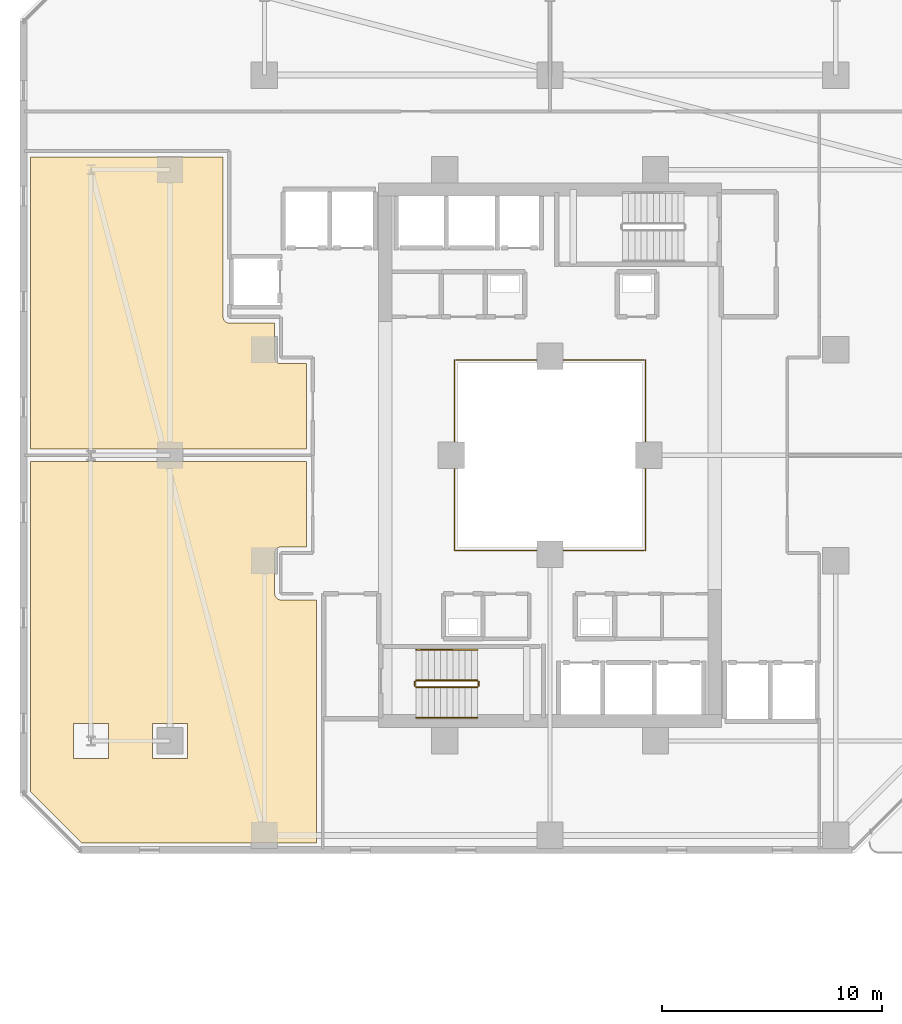
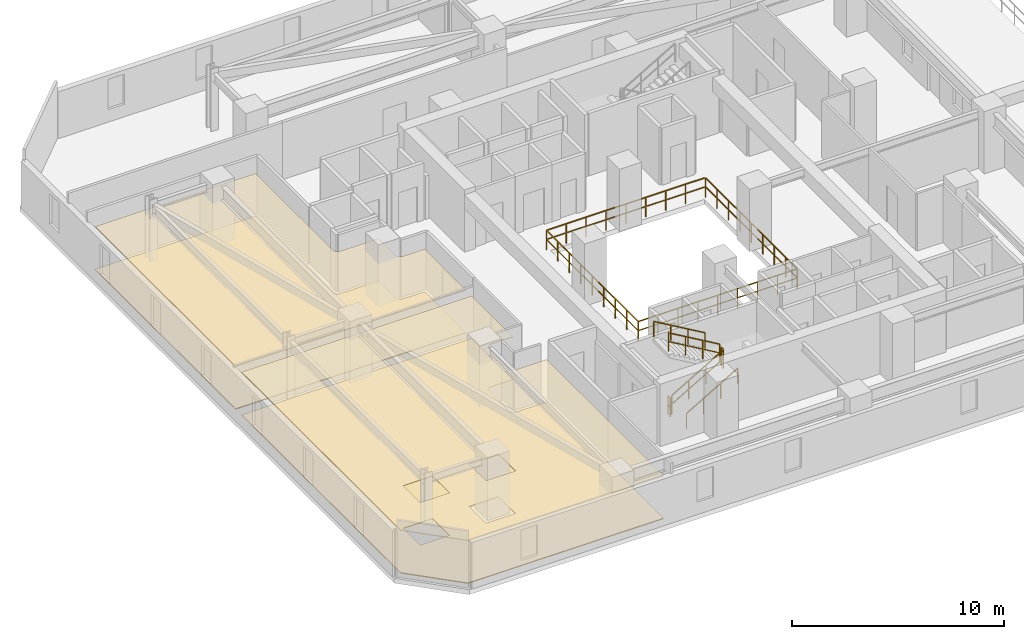
# One storey, part 29 of 33: 7 railings, 4 coverings.
"""IFC4 building model written with IfcOpenShell, lengths in metres."""

from ifc_helpers import new_model, si_unit, direction, frame, origin, origin_2d, place, context, subcontext, project, spatial, polyline, rectangle, outline, extrude, material, layer, layer_set, type_object, element, save


model = new_model("IFC4")

# Units and contexts
model_context = context("Model", 3, precision=1e-05, world=origin(), true_north=direction((0.0, 1.0)))
body_context = subcontext(model_context, "Body", "Model", "MODEL_VIEW")
ifc_project = project(units=[si_unit("LENGTHUNIT", "METRE"), si_unit("AREAUNIT", "SQUARE_METRE"), si_unit("VOLUMEUNIT", "CUBIC_METRE"), si_unit("PLANEANGLEUNIT", "RADIAN"), si_unit("MASSUNIT", "GRAM", prefix="KILO")], contexts=[model_context])

# Site, building, storey
site_placement = place(None, origin())
site = spatial("IfcSite", under=ifc_project, at=site_placement, CompositionType="ELEMENT")
building_placement = place(site_placement, origin())
building = spatial("IfcBuilding", under=site, at=building_placement, Name="Thornwick Lancets Civic Towers", CompositionType="ELEMENT")
storey_placement = place(building_placement, frame((0.0, 0.0, 98.10009765625)))
storey = spatial("IfcBuildingStorey", under=building, at=storey_placement, Name="L25", CompositionType="ELEMENT", Elevation=98.10009765625)

# Coverings
ifc_material_1 = material(Name="Perforated mineral acoustic ceiling tile")
ifc_layer_1 = layer(ifc_material_1, 0.0400390625, Name="Perforated mineral acoustic ceiling tile")
ifc_layer_set_1 = layer_set([ifc_layer_1], Name="Perforated mineral acoustic ceiling tile")
covering_type_1 = type_object("IfcCoveringType", Name="COV_CEIL_ACOUSTIC", PredefinedType="CEILING", material=ifc_layer_set_1)
covering_1_placement = place(storey_placement, frame((0.0, 0.0, 2.46484375)))
element("IfcCovering", 1, at=covering_1_placement, inside=storey, type_object=covering_type_1, Name="L25 Tower A Ministry Directorate Office W1 Ceiling", PredefinedType="CEILING", context=body_context, shape_type="SweptSolid", body=[
    extrude(outline(polyline([(1.860107421875, 11.690673828125), (1.860107421875, 26.719970703125), (14.419921875, 26.719970703125), (14.419921875, 22.830078125), (13.25, 22.830078125), (13.22265625, 22.82861328125), (13.1953125, 22.82470703125), (13.168701171875, 22.81787109375), (13.142822265625, 22.80859375), (13.117919921875, 22.796875), (13.094482421875, 22.78271484375), (13.072509765625, 22.766357421875), (13.052001953125, 22.748046875), (13.03369140625, 22.7275390625), (13.01708984375, 22.70556640625), (13.003173828125, 22.681884765625), (12.9912109375, 22.6572265625), (12.982177734375, 22.63134765625), (12.975341796875, 22.6044921875), (12.97119140625, 22.577392578125), (12.969970703125, 22.550048828125), (12.969970703125, 20.699951171875), (12.97119140625, 20.672607421875), (12.975341796875, 20.6455078125), (12.982177734375, 20.61865234375), (12.9912109375, 20.5927734375), (13.003173828125, 20.568115234375), (13.01708984375, 20.54443359375), (13.03369140625, 20.5224609375), (13.052001953125, 20.501953125), (13.072509765625, 20.483642578125), (13.094482421875, 20.46728515625), (13.117919921875, 20.453125), (13.142822265625, 20.44140625), (13.168701171875, 20.43212890625), (13.1953125, 20.42529296875), (13.22265625, 20.42138671875), (13.25, 20.419921875), (14.8701171875, 20.419921875), (14.8701171875, 9.360107421875), (4.190673828125, 9.360107421875), (1.860107421875, 11.690673828125)]), holes=[polyline([(7.39990234375, 13.199951171875), (9.0, 13.199951171875), (9.0, 14.800048828125), (7.39990234375, 14.800048828125), (7.39990234375, 13.199951171875)]), polyline([(3.800048828125, 13.199951171875), (5.39990234375, 13.199951171875), (5.39990234375, 14.800048828125), (3.800048828125, 14.800048828125), (3.800048828125, 13.199951171875)])]), origin(), (0.0, 0.0, 1.0), 0.0400390625),
])
covering_2_placement = place(storey_placement, frame((0.0, 0.0, 2.46484375)))
element("IfcCovering", 2, at=covering_2_placement, inside=storey, type_object=covering_type_1, Name="L25 Tower A Policy Briefing Room W2 Ceiling", PredefinedType="CEILING", context=body_context, shape_type="SweptSolid", body=[
    extrude(outline(polyline([(10.6201171875, 40.570068359375), (10.6201171875, 33.300048828125), (10.621337890625, 33.272705078125), (10.62548828125, 33.245361328125), (10.632080078125, 33.21875), (10.641357421875, 33.19287109375), (10.653076171875, 33.16796875), (10.667236328125, 33.144287109375), (10.68359375, 33.122314453125), (10.701904296875, 33.10205078125), (10.722412109375, 33.08349609375), (10.744384765625, 33.067138671875), (10.76806640625, 33.052978515625), (10.792724609375, 33.041259765625), (10.818603515625, 33.031982421875), (10.845458984375, 33.025390625), (10.87255859375, 33.021240234375), (10.89990234375, 33.02001953125), (12.969970703125, 33.02001953125), (12.969970703125, 31.449951171875), (12.97119140625, 31.422607421875), (12.975341796875, 31.3955078125), (12.982177734375, 31.36865234375), (12.9912109375, 31.3427734375), (13.003173828125, 31.318115234375), (13.01708984375, 31.29443359375), (13.03369140625, 31.2724609375), (13.052001953125, 31.251953125), (13.072509765625, 31.233642578125), (13.094482421875, 31.21728515625), (13.117919921875, 31.203125), (13.142822265625, 31.19140625), (13.168701171875, 31.18212890625), (13.1953125, 31.17529296875), (13.22265625, 31.17138671875), (13.25, 31.169921875), (14.419921875, 31.169921875), (14.419921875, 27.280029296875), (1.860107421875, 27.280029296875), (1.860107421875, 40.570068359375), (10.6201171875, 40.570068359375)])), origin(), (0.0, 0.0, 1.0), 0.0400390625),
])
ifc_material_2 = material(Name="Calcium-sulfate raised access floor panel")
ifc_layer_2 = layer(ifc_material_2, 0.050048828125, Name="Calcium-sulfate raised access floor panel")
ifc_layer_set_2 = layer_set([ifc_layer_2], Name="Calcium-sulfate raised access floor panel")
covering_type_2 = type_object("IfcCoveringType", Name="COV_FLOOR_RAISED", PredefinedType="FLOORING", material=ifc_layer_set_2)
covering_3_placement = place(storey_placement, origin())
element("IfcCovering", 3, at=covering_3_placement, inside=storey, type_object=covering_type_2, Name="L25 Tower A Ministry Directorate Office W1 Raised Access Flooring", PredefinedType="FLOORING", context=body_context, shape_type="SweptSolid", body=[
    extrude(outline(polyline([(1.860107421875, 11.690673828125), (1.860107421875, 26.719970703125), (14.419921875, 26.719970703125), (14.419921875, 22.830078125), (13.25, 22.830078125), (13.22265625, 22.82861328125), (13.1953125, 22.82470703125), (13.168701171875, 22.81787109375), (13.142822265625, 22.80859375), (13.117919921875, 22.796875), (13.094482421875, 22.78271484375), (13.072509765625, 22.766357421875), (13.052001953125, 22.748046875), (13.03369140625, 22.7275390625), (13.01708984375, 22.70556640625), (13.003173828125, 22.681884765625), (12.9912109375, 22.6572265625), (12.982177734375, 22.63134765625), (12.975341796875, 22.6044921875), (12.97119140625, 22.577392578125), (12.969970703125, 22.550048828125), (12.969970703125, 20.699951171875), (12.97119140625, 20.672607421875), (12.975341796875, 20.6455078125), (12.982177734375, 20.61865234375), (12.9912109375, 20.5927734375), (13.003173828125, 20.568115234375), (13.01708984375, 20.54443359375), (13.03369140625, 20.5224609375), (13.052001953125, 20.501953125), (13.072509765625, 20.483642578125), (13.094482421875, 20.46728515625), (13.117919921875, 20.453125), (13.142822265625, 20.44140625), (13.168701171875, 20.43212890625), (13.1953125, 20.42529296875), (13.22265625, 20.42138671875), (13.25, 20.419921875), (14.8701171875, 20.419921875), (14.8701171875, 9.360107421875), (4.190673828125, 9.360107421875), (1.860107421875, 11.690673828125)]), holes=[polyline([(7.39990234375, 13.199951171875), (9.0, 13.199951171875), (9.0, 14.800048828125), (7.39990234375, 14.800048828125), (7.39990234375, 13.199951171875)]), polyline([(3.800048828125, 13.199951171875), (5.39990234375, 13.199951171875), (5.39990234375, 14.800048828125), (3.800048828125, 14.800048828125), (3.800048828125, 13.199951171875)])]), origin(), (0.0, 0.0, 1.0), 0.0498046875),
])
covering_4_placement = place(storey_placement, origin())
element("IfcCovering", 4, at=covering_4_placement, inside=storey, type_object=covering_type_2, Name="L25 Tower A Policy Briefing Room W2 Raised Access Flooring", PredefinedType="FLOORING", context=body_context, shape_type="SweptSolid", body=[
    extrude(outline(polyline([(10.6201171875, 40.570068359375), (10.6201171875, 33.300048828125), (10.621337890625, 33.272705078125), (10.62548828125, 33.245361328125), (10.632080078125, 33.21875), (10.641357421875, 33.19287109375), (10.653076171875, 33.16796875), (10.667236328125, 33.144287109375), (10.68359375, 33.122314453125), (10.701904296875, 33.10205078125), (10.722412109375, 33.08349609375), (10.744384765625, 33.067138671875), (10.76806640625, 33.052978515625), (10.792724609375, 33.041259765625), (10.818603515625, 33.031982421875), (10.845458984375, 33.025390625), (10.87255859375, 33.021240234375), (10.89990234375, 33.02001953125), (12.969970703125, 33.02001953125), (12.969970703125, 31.449951171875), (12.97119140625, 31.422607421875), (12.975341796875, 31.3955078125), (12.982177734375, 31.36865234375), (12.9912109375, 31.3427734375), (13.003173828125, 31.318115234375), (13.01708984375, 31.29443359375), (13.03369140625, 31.2724609375), (13.052001953125, 31.251953125), (13.072509765625, 31.233642578125), (13.094482421875, 31.21728515625), (13.117919921875, 31.203125), (13.142822265625, 31.19140625), (13.168701171875, 31.18212890625), (13.1953125, 31.17529296875), (13.22265625, 31.17138671875), (13.25, 31.169921875), (14.419921875, 31.169921875), (14.419921875, 27.280029296875), (1.860107421875, 27.280029296875), (1.860107421875, 40.570068359375), (10.6201171875, 40.570068359375)])), origin(), (0.0, 0.0, 1.0), 0.0498046875),
])

# Railings
ifc_material_3 = material(Name="Laminated glass and bronze steel S355", Category="steel")
railing_type_1 = type_object("IfcRailingType", Name="RAIL_ATRIUM_GUARD", PredefinedType="BALUSTRADE", material=ifc_material_3)
railing_1_placement = place(storey_placement, frame((21.159912109375, 22.659912109375, 0.0)))
element("IfcRailing", 5, at=railing_1_placement, inside=storey, type_object=railing_type_1, Name="L25 Tower A Central Atrium Guard Balustrade", PredefinedType="BALUSTRADE", context=body_context, shape_type="SweptSolid", body=[
    extrude(rectangle(XDim=0.048095703125, YDim=0.048095703125, at=origin_2d()), frame((0.0, 0.0, 1.1259765625), z_axis=(1.0, 0.0, 0.0), x_axis=(0.0, 1.0, 0.0)), (0.0, 0.0, 1.0), 8.64892578125),
    extrude(rectangle(XDim=0.0419921875, YDim=0.0419921875, at=origin_2d()), frame((0.03759765625, 0.0, 0.597900390625), z_axis=(1.0, 0.0, 0.0), x_axis=(0.0, 1.0, 0.0)), (0.0, 0.0, 1.0), 1.010009765625),
    extrude(rectangle(XDim=0.0419921875, YDim=0.0419921875, at=origin_2d()), frame((1.12255859375, 0.0, 0.597900390625), z_axis=(1.0, 0.0, 0.0), x_axis=(0.0, 1.0, 0.0)), (0.0, 0.0, 1.0), 1.010009765625),
    extrude(rectangle(XDim=0.0419921875, YDim=0.0419921875, at=origin_2d()), frame((2.20751953125, 0.0, 0.597900390625), z_axis=(1.0, 0.0, 0.0), x_axis=(0.0, 1.0, 0.0)), (0.0, 0.0, 1.0), 1.010009765625),
    extrude(rectangle(XDim=0.0419921875, YDim=0.0419921875, at=origin_2d()), frame((3.29248046875, 0.0, 0.597900390625), z_axis=(1.0, 0.0, 0.0), x_axis=(0.0, 1.0, 0.0)), (0.0, 0.0, 1.0), 1.010009765625),
    extrude(rectangle(XDim=0.0419921875, YDim=0.0419921875, at=origin_2d()), frame((4.377685546875, 0.0, 0.597900390625), z_axis=(1.0, 0.0, 0.0), x_axis=(0.0, 1.0, 0.0)), (0.0, 0.0, 1.0), 1.010009765625),
    extrude(rectangle(XDim=0.0419921875, YDim=0.0419921875, at=origin_2d()), frame((5.462646484375, 0.0, 0.597900390625), z_axis=(1.0, 0.0, 0.0), x_axis=(0.0, 1.0, 0.0)), (0.0, 0.0, 1.0), 1.010009765625),
    extrude(rectangle(XDim=0.0419921875, YDim=0.0419921875, at=origin_2d()), frame((6.547607421875, 0.0, 0.597900390625), z_axis=(1.0, 0.0, 0.0), x_axis=(0.0, 1.0, 0.0)), (0.0, 0.0, 1.0), 1.010009765625),
    extrude(rectangle(XDim=0.0419921875, YDim=0.0419921875, at=origin_2d()), frame((7.632568359375, 0.0, 0.597900390625), z_axis=(1.0, 0.0, 0.0), x_axis=(0.0, 1.0, 0.0)), (0.0, 0.0, 1.0), 1.010009765625),
    extrude(rectangle(XDim=0.048095703125, YDim=0.048095703125, at=origin_2d()), frame((8.68017578125, 0.03125, 1.1259765625), z_axis=(0.0, 1.0, 0.0), x_axis=(-1.0, 0.0, 0.0)), (0.0, 0.0, 1.0), 8.61767578125),
    extrude(rectangle(XDim=0.0419921875, YDim=0.0419921875, at=origin_2d()), frame((8.68017578125, 0.03759765625, 0.597900390625), z_axis=(0.0, 1.0, 0.0), x_axis=(-1.0, 0.0, 0.0)), (0.0, 0.0, 1.0), 1.010009765625),
    extrude(rectangle(XDim=0.0419921875, YDim=0.0419921875, at=origin_2d()), frame((8.68017578125, 1.12255859375, 0.597900390625), z_axis=(0.0, 1.0, 0.0), x_axis=(-1.0, 0.0, 0.0)), (0.0, 0.0, 1.0), 1.010009765625),
    extrude(rectangle(XDim=0.0419921875, YDim=0.0419921875, at=origin_2d()), frame((8.68017578125, 2.20751953125, 0.597900390625), z_axis=(0.0, 1.0, 0.0), x_axis=(-1.0, 0.0, 0.0)), (0.0, 0.0, 1.0), 1.010009765625),
    extrude(rectangle(XDim=0.0419921875, YDim=0.0419921875, at=origin_2d()), frame((8.68017578125, 3.29248046875, 0.597900390625), z_axis=(0.0, 1.0, 0.0), x_axis=(-1.0, 0.0, 0.0)), (0.0, 0.0, 1.0), 1.010009765625),
    extrude(rectangle(XDim=0.0419921875, YDim=0.0419921875, at=origin_2d()), frame((8.68017578125, 4.377685546875, 0.597900390625), z_axis=(0.0, 1.0, 0.0), x_axis=(-1.0, 0.0, 0.0)), (0.0, 0.0, 1.0), 1.010009765625),
    extrude(rectangle(XDim=0.0419921875, YDim=0.0419921875, at=origin_2d()), frame((8.68017578125, 5.462646484375, 0.597900390625), z_axis=(0.0, 1.0, 0.0), x_axis=(-1.0, 0.0, 0.0)), (0.0, 0.0, 1.0), 1.010009765625),
    extrude(rectangle(XDim=0.0419921875, YDim=0.0419921875, at=origin_2d()), frame((8.68017578125, 6.547607421875, 0.597900390625), z_axis=(0.0, 1.0, 0.0), x_axis=(-1.0, 0.0, 0.0)), (0.0, 0.0, 1.0), 1.010009765625),
    extrude(rectangle(XDim=0.0419921875, YDim=0.0419921875, at=origin_2d()), frame((8.68017578125, 7.632568359375, 0.597900390625), z_axis=(0.0, 1.0, 0.0), x_axis=(-1.0, 0.0, 0.0)), (0.0, 0.0, 1.0), 1.010009765625),
    extrude(rectangle(XDim=0.048095703125, YDim=0.048095703125, at=origin_2d()), frame((8.64892578125, 8.68017578125, 1.1259765625), z_axis=(-1.0, 0.0, 0.0), x_axis=(0.0, -1.0, 0.0)), (0.0, 0.0, 1.0), 8.61767578125),
    extrude(rectangle(XDim=0.0419921875, YDim=0.0419921875, at=origin_2d()), frame((8.642578125, 8.68017578125, 0.597900390625), z_axis=(-1.0, 0.0, 0.0), x_axis=(0.0, -1.0, 0.0)), (0.0, 0.0, 1.0), 1.010009765625),
    extrude(rectangle(XDim=0.0419921875, YDim=0.0419921875, at=origin_2d()), frame((7.5576171875, 8.68017578125, 0.597900390625), z_axis=(-1.0, 0.0, 0.0), x_axis=(0.0, -1.0, 0.0)), (0.0, 0.0, 1.0), 1.010009765625),
    extrude(rectangle(XDim=0.0419921875, YDim=0.0419921875, at=origin_2d()), frame((6.47265625, 8.68017578125, 0.597900390625), z_axis=(-1.0, 0.0, 0.0), x_axis=(0.0, -1.0, 0.0)), (0.0, 0.0, 1.0), 1.010009765625),
    extrude(rectangle(XDim=0.0419921875, YDim=0.0419921875, at=origin_2d()), frame((5.3876953125, 8.68017578125, 0.597900390625), z_axis=(-1.0, 0.0, 0.0), x_axis=(0.0, -1.0, 0.0)), (0.0, 0.0, 1.0), 1.010009765625),
    extrude(rectangle(XDim=0.0419921875, YDim=0.0419921875, at=origin_2d()), frame((4.302490234375, 8.68017578125, 0.597900390625), z_axis=(-1.0, 0.0, 0.0), x_axis=(0.0, -1.0, 0.0)), (0.0, 0.0, 1.0), 1.010009765625),
    extrude(rectangle(XDim=0.0419921875, YDim=0.0419921875, at=origin_2d()), frame((3.217529296875, 8.68017578125, 0.597900390625), z_axis=(-1.0, 0.0, 0.0), x_axis=(0.0, -1.0, 0.0)), (0.0, 0.0, 1.0), 1.010009765625),
    extrude(rectangle(XDim=0.0419921875, YDim=0.0419921875, at=origin_2d()), frame((2.132568359375, 8.68017578125, 0.597900390625), z_axis=(-1.0, 0.0, 0.0), x_axis=(0.0, -1.0, 0.0)), (0.0, 0.0, 1.0), 1.010009765625),
    extrude(rectangle(XDim=0.0419921875, YDim=0.0419921875, at=origin_2d()), frame((1.047607421875, 8.68017578125, 0.597900390625), z_axis=(-1.0, 0.0, 0.0), x_axis=(0.0, -1.0, 0.0)), (0.0, 0.0, 1.0), 1.010009765625),
    extrude(rectangle(XDim=0.048095703125, YDim=0.048095703125, at=origin_2d()), frame((0.0, 8.64892578125, 1.1259765625), z_axis=(0.0, -1.0, 0.0), x_axis=(1.0, 0.0, 0.0)), (0.0, 0.0, 1.0), 8.64892578125),
    extrude(rectangle(XDim=0.0419921875, YDim=0.0419921875, at=origin_2d()), frame((0.0, 8.642578125, 0.597900390625), z_axis=(0.0, -1.0, 0.0), x_axis=(1.0, 0.0, 0.0)), (0.0, 0.0, 1.0), 1.010009765625),
    extrude(rectangle(XDim=0.0419921875, YDim=0.0419921875, at=origin_2d()), frame((0.0, 7.5576171875, 0.597900390625), z_axis=(0.0, -1.0, 0.0), x_axis=(1.0, 0.0, 0.0)), (0.0, 0.0, 1.0), 1.010009765625),
    extrude(rectangle(XDim=0.0419921875, YDim=0.0419921875, at=origin_2d()), frame((0.0, 6.47265625, 0.597900390625), z_axis=(0.0, -1.0, 0.0), x_axis=(1.0, 0.0, 0.0)), (0.0, 0.0, 1.0), 1.010009765625),
    extrude(rectangle(XDim=0.0419921875, YDim=0.0419921875, at=origin_2d()), frame((0.0, 5.3876953125, 0.597900390625), z_axis=(0.0, -1.0, 0.0), x_axis=(1.0, 0.0, 0.0)), (0.0, 0.0, 1.0), 1.010009765625),
    extrude(rectangle(XDim=0.0419921875, YDim=0.0419921875, at=origin_2d()), frame((0.0, 4.302490234375, 0.597900390625), z_axis=(0.0, -1.0, 0.0), x_axis=(1.0, 0.0, 0.0)), (0.0, 0.0, 1.0), 1.010009765625),
    extrude(rectangle(XDim=0.0419921875, YDim=0.0419921875, at=origin_2d()), frame((0.0, 3.217529296875, 0.597900390625), z_axis=(0.0, -1.0, 0.0), x_axis=(1.0, 0.0, 0.0)), (0.0, 0.0, 1.0), 1.010009765625),
    extrude(rectangle(XDim=0.0419921875, YDim=0.0419921875, at=origin_2d()), frame((0.0, 2.132568359375, 0.597900390625), z_axis=(0.0, -1.0, 0.0), x_axis=(1.0, 0.0, 0.0)), (0.0, 0.0, 1.0), 1.010009765625),
    extrude(rectangle(XDim=0.0419921875, YDim=0.0419921875, at=origin_2d()), frame((0.0, 1.047607421875, 0.597900390625), z_axis=(0.0, -1.0, 0.0), x_axis=(1.0, 0.0, 0.0)), (0.0, 0.0, 1.0), 1.010009765625),
    extrude(rectangle(XDim=0.0419921875, YDim=0.0419921875, at=origin_2d()), origin(), (0.0, 0.0, 1.0), 1.095703125),
    extrude(rectangle(XDim=0.0419921875, YDim=0.0419921875, at=origin_2d()), frame((1.0849609375, 0.0, 0.0)), (0.0, 0.0, 1.0), 1.095703125),
    extrude(rectangle(XDim=0.0419921875, YDim=0.0419921875, at=origin_2d()), frame((2.169921875, 0.0, 0.0)), (0.0, 0.0, 1.0), 1.095703125),
    extrude(rectangle(XDim=0.0419921875, YDim=0.0419921875, at=origin_2d()), frame((3.255126953125, 0.0, 0.0)), (0.0, 0.0, 1.0), 1.095703125),
    extrude(rectangle(XDim=0.0419921875, YDim=0.0419921875, at=origin_2d()), frame((4.340087890625, 0.0, 0.0)), (0.0, 0.0, 1.0), 1.095703125),
    extrude(rectangle(XDim=0.0419921875, YDim=0.0419921875, at=origin_2d()), frame((5.425048828125, 0.0, 0.0)), (0.0, 0.0, 1.0), 1.095703125),
    extrude(rectangle(XDim=0.0419921875, YDim=0.0419921875, at=origin_2d()), frame((6.51025390625, 0.0, 0.0)), (0.0, 0.0, 1.0), 1.095703125),
    extrude(rectangle(XDim=0.0419921875, YDim=0.0419921875, at=origin_2d()), frame((7.59521484375, 0.0, 0.0)), (0.0, 0.0, 1.0), 1.095703125),
    extrude(rectangle(XDim=0.0419921875, YDim=0.0419921875, at=origin_2d()), frame((8.68017578125, 0.0, 0.0)), (0.0, 0.0, 1.0), 1.095703125),
    extrude(rectangle(XDim=0.0419921875, YDim=0.0419921875, at=origin_2d()), frame((8.68017578125, 1.0849609375, 0.0)), (0.0, 0.0, 1.0), 1.095703125),
    extrude(rectangle(XDim=0.0419921875, YDim=0.0419921875, at=origin_2d()), frame((8.68017578125, 2.169921875, 0.0)), (0.0, 0.0, 1.0), 1.095703125),
    extrude(rectangle(XDim=0.0419921875, YDim=0.0419921875, at=origin_2d()), frame((8.68017578125, 3.255126953125, 0.0)), (0.0, 0.0, 1.0), 1.095703125),
    extrude(rectangle(XDim=0.0419921875, YDim=0.0419921875, at=origin_2d()), frame((8.68017578125, 4.340087890625, 0.0)), (0.0, 0.0, 1.0), 1.095703125),
    extrude(rectangle(XDim=0.0419921875, YDim=0.0419921875, at=origin_2d()), frame((8.68017578125, 5.425048828125, 0.0)), (0.0, 0.0, 1.0), 1.095703125),
    extrude(rectangle(XDim=0.0419921875, YDim=0.0419921875, at=origin_2d()), frame((8.68017578125, 6.51025390625, 0.0)), (0.0, 0.0, 1.0), 1.095703125),
    extrude(rectangle(XDim=0.0419921875, YDim=0.0419921875, at=origin_2d()), frame((8.68017578125, 7.59521484375, 0.0)), (0.0, 0.0, 1.0), 1.095703125),
    extrude(rectangle(XDim=0.0419921875, YDim=0.0419921875, at=origin_2d()), frame((8.68017578125, 8.68017578125, 0.0)), (0.0, 0.0, 1.0), 1.095703125),
    extrude(rectangle(XDim=0.0419921875, YDim=0.0419921875, at=origin_2d()), frame((7.59521484375, 8.68017578125, 0.0)), (0.0, 0.0, 1.0), 1.095703125),
    extrude(rectangle(XDim=0.0419921875, YDim=0.0419921875, at=origin_2d()), frame((6.51025390625, 8.68017578125, 0.0)), (0.0, 0.0, 1.0), 1.095703125),
    extrude(rectangle(XDim=0.0419921875, YDim=0.0419921875, at=origin_2d()), frame((5.425048828125, 8.68017578125, 0.0)), (0.0, 0.0, 1.0), 1.095703125),
    extrude(rectangle(XDim=0.0419921875, YDim=0.0419921875, at=origin_2d()), frame((4.340087890625, 8.68017578125, 0.0)), (0.0, 0.0, 1.0), 1.095703125),
    extrude(rectangle(XDim=0.0419921875, YDim=0.0419921875, at=origin_2d()), frame((3.255126953125, 8.68017578125, 0.0)), (0.0, 0.0, 1.0), 1.095703125),
    extrude(rectangle(XDim=0.0419921875, YDim=0.0419921875, at=origin_2d()), frame((2.169921875, 8.68017578125, 0.0)), (0.0, 0.0, 1.0), 1.095703125),
    extrude(rectangle(XDim=0.0419921875, YDim=0.0419921875, at=origin_2d()), frame((1.0849609375, 8.68017578125, 0.0)), (0.0, 0.0, 1.0), 1.095703125),
    extrude(rectangle(XDim=0.0419921875, YDim=0.0419921875, at=origin_2d()), frame((0.0, 8.68017578125, 0.0)), (0.0, 0.0, 1.0), 1.095703125),
    extrude(rectangle(XDim=0.0419921875, YDim=0.0419921875, at=origin_2d()), frame((0.0, 7.59521484375, 0.0)), (0.0, 0.0, 1.0), 1.095703125),
    extrude(rectangle(XDim=0.0419921875, YDim=0.0419921875, at=origin_2d()), frame((0.0, 6.51025390625, 0.0)), (0.0, 0.0, 1.0), 1.095703125),
    extrude(rectangle(XDim=0.0419921875, YDim=0.0419921875, at=origin_2d()), frame((0.0, 5.425048828125, 0.0)), (0.0, 0.0, 1.0), 1.095703125),
    extrude(rectangle(XDim=0.0419921875, YDim=0.0419921875, at=origin_2d()), frame((0.0, 4.340087890625, 0.0)), (0.0, 0.0, 1.0), 1.095703125),
    extrude(rectangle(XDim=0.0419921875, YDim=0.0419921875, at=origin_2d()), frame((0.0, 3.255126953125, 0.0)), (0.0, 0.0, 1.0), 1.095703125),
    extrude(rectangle(XDim=0.0419921875, YDim=0.0419921875, at=origin_2d()), frame((0.0, 2.169921875, 0.0)), (0.0, 0.0, 1.0), 1.095703125),
    extrude(rectangle(XDim=0.0419921875, YDim=0.0419921875, at=origin_2d()), frame((0.0, 1.0849609375, 0.0)), (0.0, 0.0, 1.0), 1.095703125),
])
ifc_material_4 = material(Name="Brushed stainless steel S355", Category="steel")
railing_type_2 = type_object("IfcRailingType", Name="RAIL_HANDRAIL", PredefinedType="HANDRAIL", material=ifc_material_4)
railing_2_placement = place(storey_placement, frame((19.39990234375, 15.050048828125, 0.16357421875)))
element("IfcRailing", 6, at=railing_2_placement, inside=storey, type_object=railing_type_2, Name="L25 ST-A1 stair handrail 1", PredefinedType="HANDRAIL", context=body_context, shape_type="SweptSolid", body=[
    extrude(rectangle(XDim=0.048095703125, YDim=0.048095703125, at=origin_2d()), frame((0.0, 0.0, 0.8857421875), z_axis=(0.863393664356, 0.0, 0.504530851732), x_axis=(0.0, 1.0, 0.0)), (0.0, 0.0, 1.0), 3.2431640625),
    extrude(rectangle(XDim=0.0419921875, YDim=0.0419921875, at=origin_2d()), origin(), (0.0, 0.0, 1.0), 0.855712890625),
    extrude(rectangle(XDim=0.0419921875, YDim=0.0419921875, at=origin_2d()), frame((0.933349609375, 0.0, 0.54541015625)), (0.0, 0.0, 1.0), 0.855712890625),
    extrude(rectangle(XDim=0.0419921875, YDim=0.0419921875, at=origin_2d()), frame((1.86669921875, 0.0, 1.0908203125)), (0.0, 0.0, 1.0), 0.855712890625),
    extrude(rectangle(XDim=0.0419921875, YDim=0.0419921875, at=origin_2d()), frame((2.800048828125, 0.0, 1.63623046875)), (0.0, 0.0, 1.0), 0.855712890625),
])
railing_3_placement = place(storey_placement, frame((22.199951171875, 18.14990234375, 1.963623046875)))
element("IfcRailing", 7, at=railing_3_placement, inside=storey, type_object=railing_type_2, Name="L25 ST-A1 stair handrail 2", PredefinedType="HANDRAIL", context=body_context, shape_type="SweptSolid", body=[
    extrude(rectangle(XDim=0.048095703125, YDim=0.048095703125, at=origin_2d()), frame((0.0, 0.0, 0.8857421875), z_axis=(-0.863393664356, 0.0, 0.504530851732), x_axis=(0.0, -1.0, 0.0)), (0.0, 0.0, 1.0), 3.2431640625),
    extrude(rectangle(XDim=0.0419921875, YDim=0.0419921875, at=origin_2d()), origin(), (0.0, 0.0, 1.0), 0.855712890625),
    extrude(rectangle(XDim=0.0419921875, YDim=0.0419921875, at=origin_2d()), frame((-0.933349609375, 0.0, 0.54541015625)), (0.0, 0.0, 1.0), 0.855712890625),
    extrude(rectangle(XDim=0.0419921875, YDim=0.0419921875, at=origin_2d()), frame((-1.86669921875, 0.0, 1.0908203125)), (0.0, 0.0, 1.0), 0.855712890625),
    extrude(rectangle(XDim=0.0419921875, YDim=0.0419921875, at=origin_2d()), frame((-2.800048828125, 0.0, 1.63623046875)), (0.0, 0.0, 1.0), 0.855712890625),
])
ifc_material_5 = material(Name="Steel S355JR", Category="steel")
railing_type_3 = type_object("IfcRailingType", Name="RAIL_STAIR_GUARD", PredefinedType="GUARDRAIL", material=ifc_material_5)
railing_4_placement = place(storey_placement, frame((19.39990234375, 16.449951171875, 0.16357421875)))
element("IfcRailing", 8, at=railing_4_placement, inside=storey, type_object=railing_type_3, Name="L25 ST-A1 stair guard 1", PredefinedType="GUARDRAIL", context=body_context, shape_type="SweptSolid", body=[
    extrude(rectangle(XDim=0.048095703125, YDim=0.048095703125, at=origin_2d()), frame((0.0, 0.0, 1.076171875), z_axis=(0.863393664356, 0.0, 0.504530851732), x_axis=(0.0, 1.0, 0.0)), (0.0, 0.0, 1.0), 3.2431640625),
    extrude(rectangle(XDim=0.0419921875, YDim=0.0419921875, at=origin_2d()), frame((0.032470703125, 0.0, 0.591064453125), z_axis=(0.863393664356, 0.0, 0.504530851732), x_axis=(0.0, 1.0, 0.0)), (0.0, 0.0, 1.0), 1.006103515625),
    extrude(rectangle(XDim=0.0419921875, YDim=0.0419921875, at=origin_2d()), frame((0.9658203125, 0.0, 1.136474609375), z_axis=(0.863393664356, 0.0, 0.504530851732), x_axis=(0.0, 1.0, 0.0)), (0.0, 0.0, 1.0), 1.006103515625),
    extrude(rectangle(XDim=0.0419921875, YDim=0.0419921875, at=origin_2d()), frame((1.899169921875, 0.0, 1.681884765625), z_axis=(0.863393664356, 0.0, 0.504530851732), x_axis=(0.0, 1.0, 0.0)), (0.0, 0.0, 1.0), 1.006103515625),
    extrude(rectangle(XDim=0.0419921875, YDim=0.0419921875, at=origin_2d()), origin(), (0.0, 0.0, 1.0), 1.0458984375),
    extrude(rectangle(XDim=0.0419921875, YDim=0.0419921875, at=origin_2d()), frame((0.933349609375, 0.0, 0.54541015625)), (0.0, 0.0, 1.0), 1.0458984375),
    extrude(rectangle(XDim=0.0419921875, YDim=0.0419921875, at=origin_2d()), frame((1.86669921875, 0.0, 1.0908203125)), (0.0, 0.0, 1.0), 1.0458984375),
    extrude(rectangle(XDim=0.0419921875, YDim=0.0419921875, at=origin_2d()), frame((2.800048828125, 0.0, 1.63623046875)), (0.0, 0.0, 1.0), 1.0458984375),
])
railing_5_placement = place(storey_placement, frame((22.25, 16.5, 1.7998046875)))
element("IfcRailing", 9, at=railing_5_placement, inside=storey, type_object=railing_type_3, Name="L25 ST-A1 stair guard 2", PredefinedType="GUARDRAIL", context=body_context, shape_type="SweptSolid", body=[
    extrude(rectangle(XDim=0.048095703125, YDim=0.048095703125, at=origin_2d()), frame((0.0, 0.0, 1.076171875), z_axis=(0.0, 1.0, 0.0), x_axis=(-1.0, 0.0, 0.0)), (0.0, 0.0, 1.0), 0.199951171875),
    extrude(rectangle(XDim=0.0419921875, YDim=0.0419921875, at=origin_2d()), frame((0.0, 0.03759765625, 0.572021484375), z_axis=(0.0, 1.0, 0.0), x_axis=(-1.0, 0.0, 0.0)), (0.0, 0.0, 1.0), 0.125),
    extrude(rectangle(XDim=0.0419921875, YDim=0.0419921875, at=origin_2d()), origin(), (0.0, 0.0, 1.0), 1.0458984375),
    extrude(rectangle(XDim=0.0419921875, YDim=0.0419921875, at=origin_2d()), frame((0.0, 0.199951171875, 0.0)), (0.0, 0.0, 1.0), 1.0458984375),
])
railing_6_placement = place(storey_placement, frame((22.199951171875, 16.75, 1.963623046875)))
element("IfcRailing", 10, at=railing_6_placement, inside=storey, type_object=railing_type_3, Name="L25 ST-A1 stair guard 3", PredefinedType="GUARDRAIL", context=body_context, shape_type="SweptSolid", body=[
    extrude(rectangle(XDim=0.048095703125, YDim=0.048095703125, at=origin_2d()), frame((0.0, 0.0, 1.076171875), z_axis=(-0.863393664356, 0.0, 0.504530851732), x_axis=(0.0, -1.0, 0.0)), (0.0, 0.0, 1.0), 3.2431640625),
    extrude(rectangle(XDim=0.0419921875, YDim=0.0419921875, at=origin_2d()), frame((-0.032470703125, 0.0, 0.591064453125), z_axis=(-0.863393664356, 0.0, 0.504530851732), x_axis=(0.0, -1.0, 0.0)), (0.0, 0.0, 1.0), 1.006103515625),
    extrude(rectangle(XDim=0.0419921875, YDim=0.0419921875, at=origin_2d()), frame((-0.9658203125, 0.0, 1.136474609375), z_axis=(-0.863393664356, 0.0, 0.504530851732), x_axis=(0.0, -1.0, 0.0)), (0.0, 0.0, 1.0), 1.006103515625),
    extrude(rectangle(XDim=0.0419921875, YDim=0.0419921875, at=origin_2d()), frame((-1.899169921875, 0.0, 1.681884765625), z_axis=(-0.863393664356, 0.0, 0.504530851732), x_axis=(0.0, -1.0, 0.0)), (0.0, 0.0, 1.0), 1.006103515625),
    extrude(rectangle(XDim=0.0419921875, YDim=0.0419921875, at=origin_2d()), origin(), (0.0, 0.0, 1.0), 1.0458984375),
    extrude(rectangle(XDim=0.0419921875, YDim=0.0419921875, at=origin_2d()), frame((-0.933349609375, 0.0, 0.54541015625)), (0.0, 0.0, 1.0), 1.0458984375),
    extrude(rectangle(XDim=0.0419921875, YDim=0.0419921875, at=origin_2d()), frame((-1.86669921875, 0.0, 1.0908203125)), (0.0, 0.0, 1.0), 1.0458984375),
    extrude(rectangle(XDim=0.0419921875, YDim=0.0419921875, at=origin_2d()), frame((-2.800048828125, 0.0, 1.63623046875)), (0.0, 0.0, 1.0), 1.0458984375),
])
railing_7_placement = place(storey_placement, frame((19.35009765625, 16.5, 0.0)))
element("IfcRailing", 11, at=railing_7_placement, inside=storey, type_object=railing_type_3, Name="L25 ST-A1 stair guard 4", PredefinedType="GUARDRAIL", context=body_context, shape_type="SweptSolid", body=[
    extrude(rectangle(XDim=0.048095703125, YDim=0.048095703125, at=origin_2d()), frame((0.0, 0.0, 1.076171875), z_axis=(0.0, 1.0, 0.0), x_axis=(-1.0, 0.0, 0.0)), (0.0, 0.0, 1.0), 0.199951171875),
    extrude(rectangle(XDim=0.0419921875, YDim=0.0419921875, at=origin_2d()), frame((0.0, 0.03759765625, 0.572021484375), z_axis=(0.0, 1.0, 0.0), x_axis=(-1.0, 0.0, 0.0)), (0.0, 0.0, 1.0), 0.125),
    extrude(rectangle(XDim=0.0419921875, YDim=0.0419921875, at=origin_2d()), origin(), (0.0, 0.0, 1.0), 1.0458984375),
    extrude(rectangle(XDim=0.0419921875, YDim=0.0419921875, at=origin_2d()), frame((0.0, 0.199951171875, 0.0)), (0.0, 0.0, 1.0), 1.0458984375),
])

save(model, "model.ifc")
